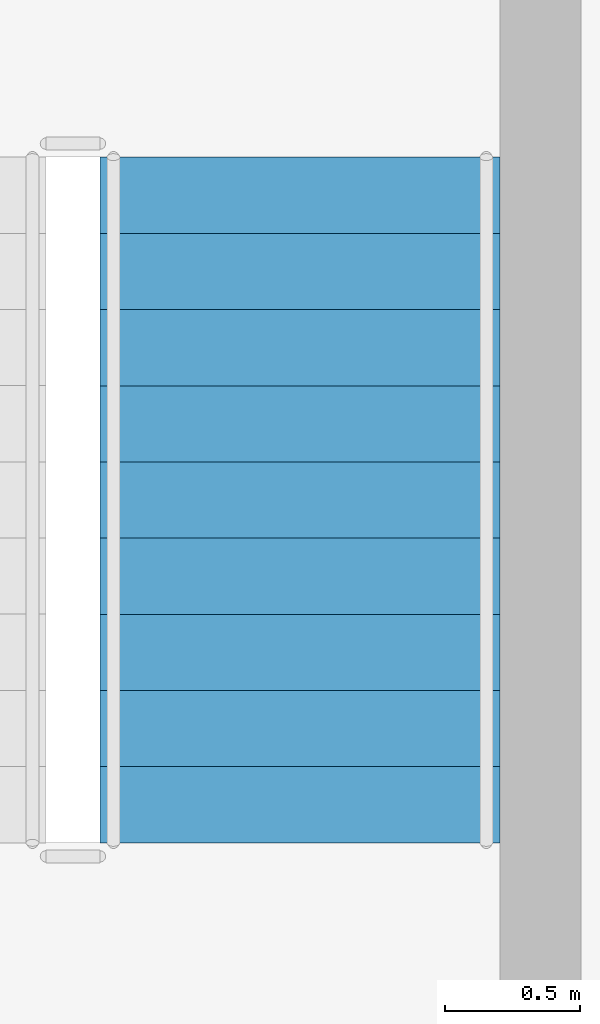
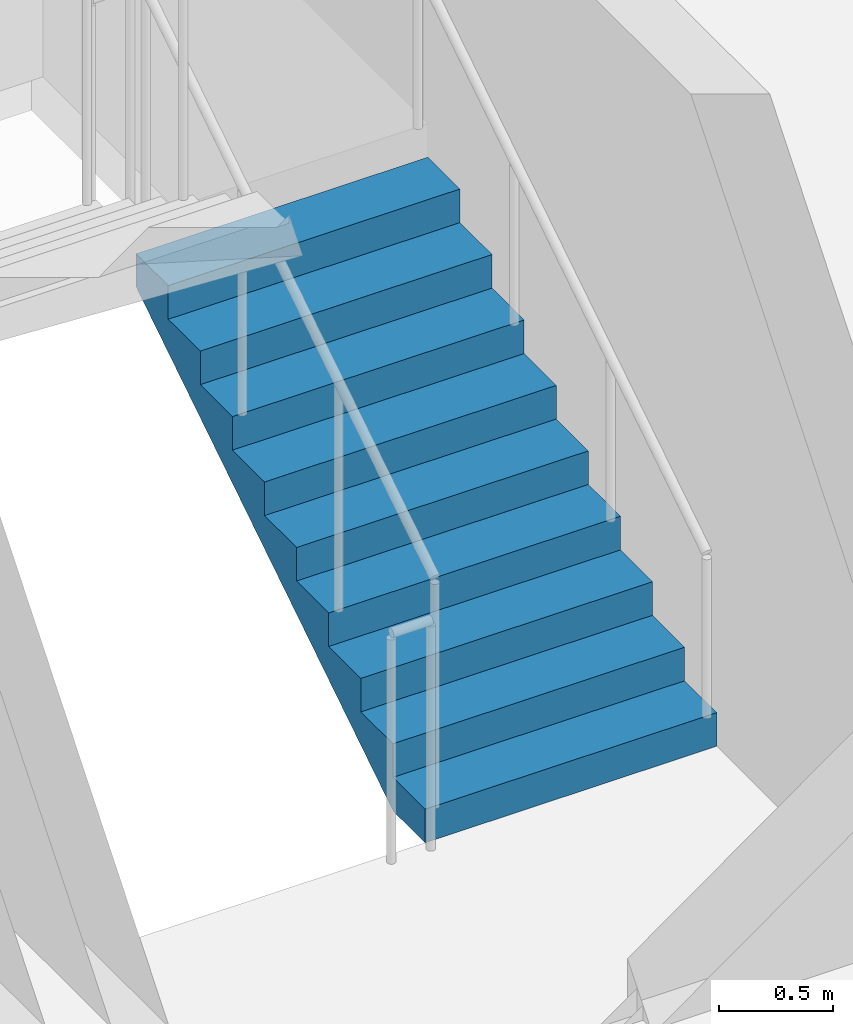
# One storey, part 6 of 7: 1 stair flight, 1 element without a shape of its own.
"""IFC4 building model written with IfcOpenShell, lengths in metres."""

from ifc_helpers import new_model, si_unit, direction, frame, origin, place, context, subcontext, project, spatial, polyline, outline, extrude, material, type_object, element, aggregate, save


model = new_model("IFC4")

# Units and contexts
model_context = context("Model", 3, precision=1e-05, world=origin(), true_north=direction((0.0, 1.0)))
body_context = subcontext(model_context, "Body", "Model", "MODEL_VIEW")
ifc_project = project(units=[si_unit("LENGTHUNIT", "METRE"), si_unit("AREAUNIT", "SQUARE_METRE"), si_unit("VOLUMEUNIT", "CUBIC_METRE"), si_unit("PLANEANGLEUNIT", "RADIAN"), si_unit("MASSUNIT", "GRAM", prefix="KILO")], contexts=[model_context])

# Site, building, storey
site_placement = place(None, origin())
site = spatial("IfcSite", under=ifc_project, at=site_placement, CompositionType="ELEMENT")
building_placement = place(site_placement, origin())
building = spatial("IfcBuilding", under=site, at=building_placement, Name="Ochreholt Gables", CompositionType="ELEMENT")
storey_placement = place(building_placement, frame((0.0, 0.0, 209.39990234375)))
storey = spatial("IfcBuildingStorey", under=building, at=storey_placement, Name="L54", CompositionType="ELEMENT", Elevation=209.39990234375)

# Stair, stair flight
ifc_material = material(Name="Concrete 40 MPa", Category="concrete")
stair_type = type_object("IfcStairType", Name="STAIR-CORE-ST-2", PredefinedType="HALF_TURN_STAIR", material=ifc_material)
stair_placement = place(storey_placement, origin())
stair = element("IfcStair", 1, at=stair_placement, inside=storey, type_object=stair_type, Name="L54 Core Exit Stair 2", PredefinedType="HALF_TURN_STAIR")
stair_flight_type = type_object("IfcStairFlightType", Name="FLIGHT-ST-1480-1800", PredefinedType="STRAIGHT", material=ifc_material)
stair_flight_placement = place(storey_placement, frame((27.340087890625, 32.4599609375, 0.0), z_axis=(0.0, 0.0, 1.0), x_axis=(0.0, 1.0, 0.0)))
stair_flight = element("IfcStairFlight", 2, at=stair_flight_placement, type_object=stair_flight_type, Name="ST-2 flight 1", NumberOfRisers=10, NumberOfTreads=9, PredefinedType="STRAIGHT", RiserHeight=0.18, TreadLength=0.282, context=body_context, shape_type="SweptSolid", body=[
    extrude(outline(polyline([(0.0, 0.0), (0.0, 0.179931640625), (0.281982421875, 0.179931640625), (0.281982421875, 0.360107421875), (0.56396484375, 0.360107421875), (0.56396484375, 0.5400390625), (0.845947265625, 0.5400390625), (0.845947265625, 0.719970703125), (1.1279296875, 0.719970703125), (1.1279296875, 0.89990234375), (1.409912109375, 0.89990234375), (1.409912109375, 1.080078125), (1.69189453125, 1.080078125), (1.69189453125, 1.260009765625), (1.97412109375, 1.260009765625), (1.97412109375, 1.43994140625), (2.256103515625, 1.43994140625), (2.256103515625, 1.6201171875), (2.5380859375, 1.6201171875), (2.5380859375, 1.800048828125), (2.5380859375, 1.442138671875), (0.278564453125, 0.0), (0.0, 0.0)])), frame((0.0, 0.739990234375, 0.0), z_axis=(0.0, -1.0, 0.0), x_axis=(1.0, 0.0, 0.0)), (0.0, 0.0, 1.0), 1.47998046875),
])
aggregate(stair, [stair_flight])

save(model, "model.ifc")
